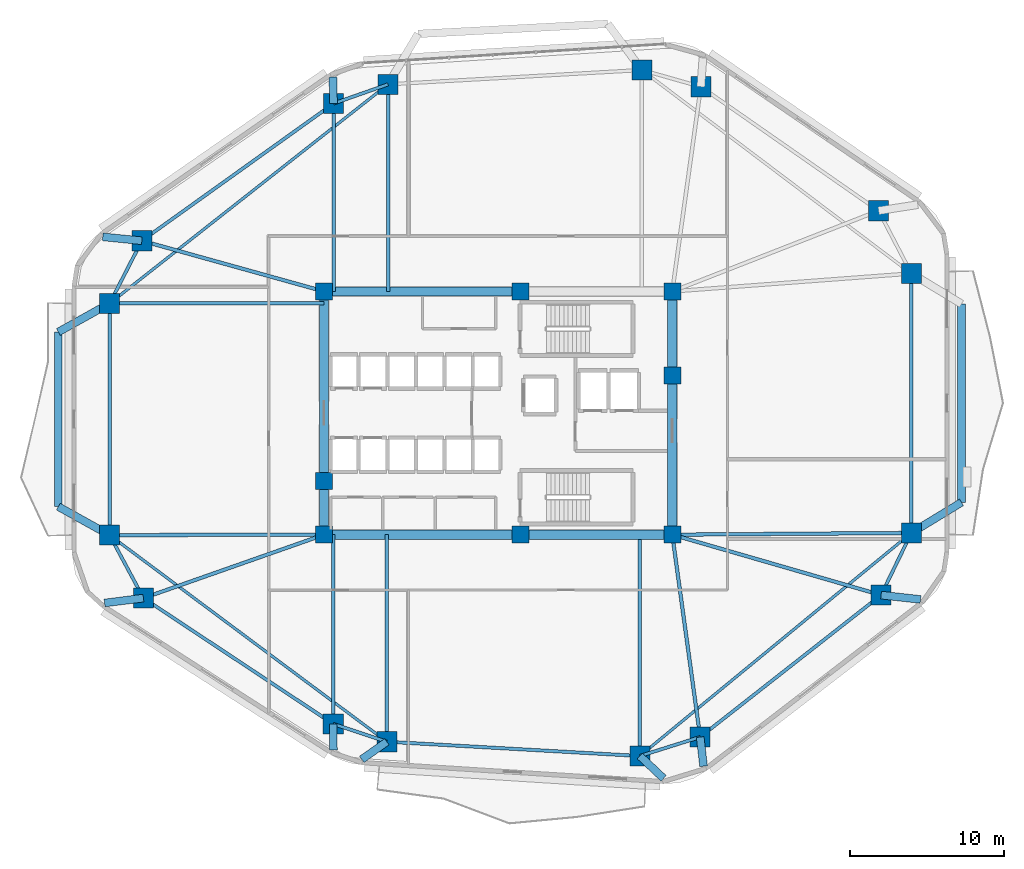
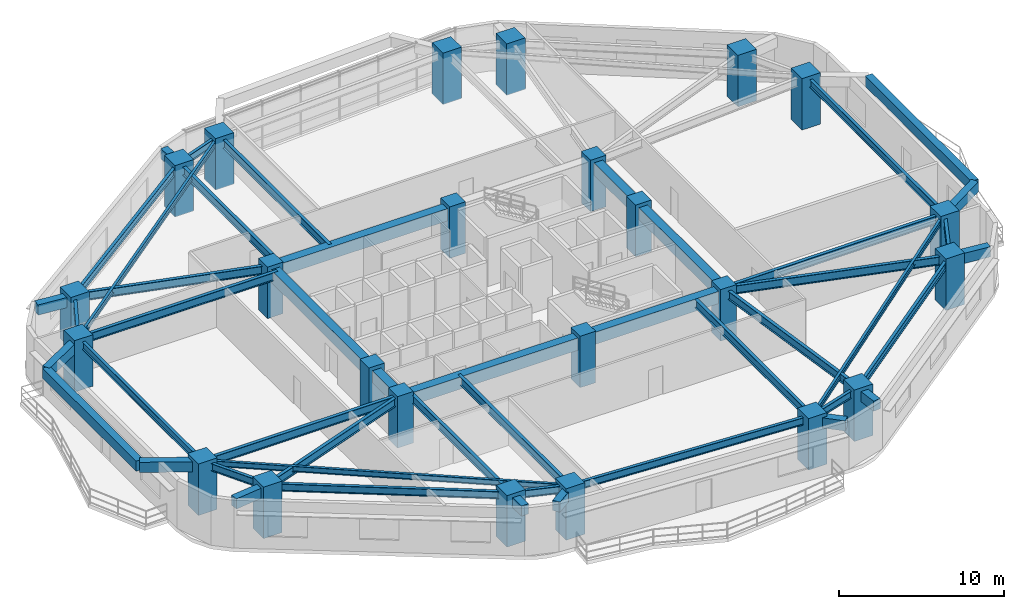
# One storey, part 1 of 11: 47 beams, 24 columns.
"""IFC4 building model written with IfcOpenShell, lengths in metres."""

from ifc_helpers import new_model, si_unit, direction, frame, origin, origin_2d, place, context, subcontext, project, spatial, rectangle, i_section, extrude, material, material_profile, profile_set, type_object, element, save


model = new_model("IFC4")

# Units and contexts
model_context = context("Model", 3, precision=1e-05, world=origin(), true_north=direction((0.0, 1.0)))
body_context = subcontext(model_context, "Body", "Model", "MODEL_VIEW")
ifc_project = project(units=[si_unit("LENGTHUNIT", "METRE"), si_unit("AREAUNIT", "SQUARE_METRE"), si_unit("VOLUMEUNIT", "CUBIC_METRE"), si_unit("PLANEANGLEUNIT", "RADIAN"), si_unit("MASSUNIT", "GRAM", prefix="KILO")], contexts=[model_context])

# Site, building, storey
site_placement = place(None, origin())
site = spatial("IfcSite", under=ifc_project, at=site_placement, CompositionType="ELEMENT")
building_placement = place(site_placement, origin())
building = spatial("IfcBuilding", under=site, at=building_placement, Name="Zulverin Broadcast Headquarters", CompositionType="ELEMENT")
storey_placement = place(building_placement, frame((0.0, 0.0, 32.60009765625)))
storey = spatial("IfcBuildingStorey", under=building, at=storey_placement, Name="L07", CompositionType="ELEMENT", Elevation=32.60009765625)

# Columns
ifc_material_1 = material(Name="Concrete C60/75", Category="concrete")
ifc_material_profile_1 = material_profile(ifc_material_1, rectangle(XDim=1.300048828125, YDim=1.300048828125, at=origin_2d()), Name="Concrete C60/75", Category="concrete")
ifc_profile_set_1 = profile_set([ifc_material_profile_1], Name="Concrete C60/75")
column_type_1 = type_object("IfcColumnType", Name="COL-RC-1300", PredefinedType="COLUMN", material=ifc_profile_set_1)
for number, where, z_axis, x_axis, name in (
    (1, (29.79638671875, 3.922119140625, 0.0), (0.0, 0.0, 1.0), (1.0, 0.0, 0.0), "L07 Perimeter Column T01"),
    (2, (46.175048828125, 2.997802734375, 0.0), (0.0, 0.0, 1.0), (1.0, 0.0, 0.0), "L07 Perimeter Column T02"),
    (3, (50.08056640625, 4.22509765625, 0.0), (0.0, 0.0, 1.0), (1.0, 0.0, 0.0), "L07 Perimeter Column T03"),
    (4, (61.79296875, 13.416259765625, 0.0), (0.0, 0.0, 1.0), (1.0, 0.0, 0.0), "L07 Perimeter Column T04"),
    (5, (63.75, 17.439697265625, 0.0), (0.0, 0.0, 1.0), (1.0, 0.0, 0.0), "L07 Perimeter Column T05"),
    (6, (63.75, 34.235107421875, 0.0), (0.0, 0.0, 1.0), (1.0, 0.0, 0.0), "L07 Perimeter Column T06"),
    (7, (61.630126953125, 38.298583984375, 0.0), (0.0, 0.0, 1.0), (1.0, 0.0, 0.0), "L07 Perimeter Column T07"),
    (8, (50.121826171875, 46.325927734375, 0.0), (0.0, 0.0, 1.0), (1.0, 0.0, 0.0), "L07 Perimeter Column T08"),
    (9, (46.30224609375, 47.4091796875, 0.0), (0.0, 0.0, 1.0), (1.0, 0.0, 0.0), "L07 Perimeter Column T09"),
    (10, (29.873779296875, 46.482177734375, 0.0), (0.0, 0.0, 1.0), (1.0, 0.0, 0.0), "L07 Perimeter Column T10"),
    (11, (26.344482421875, 45.23828125, 0.0), (0.0, 0.0, 1.0), (1.0, 0.0, 0.0), "L07 Perimeter Column T11"),
    (12, (13.934326171875, 36.353759765625, 0.0), (0.0, 0.0, 1.0), (1.0, 0.0, 0.0), "L07 Perimeter Column T12"),
    (13, (11.85009765625, 32.298095703125, 0.0), (0.0, 0.0, 1.0), (1.0, 0.0, 0.0), "L07 Perimeter Column T13"),
    (14, (11.85009765625, 17.297607421875, 0.0), (0.0, 0.0, 1.0), (1.0, 0.0, 0.0), "L07 Perimeter Column T14"),
    (15, (14.0390625, 13.219970703125, 0.0), (0.0, 0.0, 1.0), (1.0, 0.0, 0.0), "L07 Perimeter Column T15"),
    (16, (26.3251953125, 5.075927734375, 0.0), (0.0, 0.0, 1.0), (1.0, 0.0, 0.0), "L07 Perimeter Column T16"),
):
    element("IfcColumn", number, at=place(storey_placement, frame(where, z_axis=z_axis, x_axis=x_axis)), inside=storey, type_object=column_type_1, Name=name, PredefinedType="COLUMN", context=body_context, shape_type="SweptSolid", body=[
        extrude(rectangle(XDim=1.300048828125, YDim=1.300048828125, at=origin_2d()), origin(), (0.0, 0.0, 1.0), 3.7998046875),
    ])
ifc_material_profile_2 = material_profile(ifc_material_1, rectangle(XDim=1.10009765625, YDim=1.10009765625, at=origin_2d()), Name="Concrete C60/75", Category="concrete")
ifc_profile_set_2 = profile_set([ifc_material_profile_2], Name="Concrete C60/75")
column_type_2 = type_object("IfcColumnType", Name="PIL-RC-1100", PredefinedType="PILASTER", material=ifc_profile_set_2)
for number, where, z_axis, x_axis, name in (
    (17, (25.72509765625, 17.324951171875, 0.0), (0.0, 0.0, 1.0), (1.0, 0.0, 0.0), "L07 Core Pilaster K01"),
    (18, (38.449951171875, 17.324951171875, 0.0), (0.0, 0.0, 1.0), (1.0, 0.0, 0.0), "L07 Core Pilaster K02"),
    (19, (48.27490234375, 17.324951171875, 0.0), (0.0, 0.0, 1.0), (1.0, 0.0, 0.0), "L07 Core Pilaster K03"),
    (20, (48.27490234375, 27.6201171875, 0.0), (0.0, 0.0, 1.0), (1.0, 0.0, 0.0), "L07 Core Pilaster K04"),
    (21, (48.27490234375, 33.074951171875, 0.0), (0.0, 0.0, 1.0), (1.0, 0.0, 0.0), "L07 Core Pilaster K05"),
    (22, (38.449951171875, 33.074951171875, 0.0), (0.0, 0.0, 1.0), (1.0, 0.0, 0.0), "L07 Core Pilaster K06"),
    (23, (25.72509765625, 33.074951171875, 0.0), (0.0, 0.0, 1.0), (1.0, 0.0, 0.0), "L07 Core Pilaster K07"),
    (24, (25.72509765625, 20.800048828125, 0.0), (0.0, 0.0, 1.0), (1.0, 0.0, 0.0), "L07 Core Pilaster K08"),
):
    element("IfcColumn", number, at=place(storey_placement, frame(where, z_axis=z_axis, x_axis=x_axis)), inside=storey, type_object=column_type_2, Name=name, PredefinedType="PILASTER", context=body_context, shape_type="SweptSolid", body=[
        extrude(rectangle(XDim=1.10009765625, YDim=1.10009765625, at=origin_2d()), origin(), (0.0, 0.0, 1.0), 3.7998046875),
    ])

# Beams
ifc_material_profile_3 = material_profile(ifc_material_1, rectangle(XDim=0.60009765625, YDim=0.89990234375, at=origin_2d()), Name="Concrete C60/75", Category="concrete")
ifc_profile_set_3 = profile_set([ifc_material_profile_3], Name="Concrete C60/75")
beam_type_1 = type_object("IfcBeamType", Name="BM-CB-600x900", PredefinedType="LINTEL", material=ifc_profile_set_3)
beam_1_placement = place(storey_placement, frame((25.72509765625, 17.324951171875, 3.074951171875), z_axis=(1.0, 0.0, 0.0), x_axis=(0.0, 1.0, 0.0)))
element("IfcBeam", 25, at=beam_1_placement, inside=storey, type_object=beam_type_1, Name="L07 Core Coupling Girder K01-K02", PredefinedType="LINTEL", context=body_context, shape_type="SweptSolid", body=[
    extrude(rectangle(XDim=0.60009765625, YDim=0.89990234375, at=origin_2d()), origin(), (0.0, 0.0, 1.0), 12.724853515625),
])
beam_2_placement = place(storey_placement, frame((38.449951171875, 17.324951171875, 3.074951171875), z_axis=(1.0, 0.0, 0.0), x_axis=(0.0, 1.0, 0.0)))
element("IfcBeam", 26, at=beam_2_placement, inside=storey, type_object=beam_type_1, Name="L07 Core Coupling Girder K02-K03", PredefinedType="LINTEL", context=body_context, shape_type="SweptSolid", body=[
    extrude(rectangle(XDim=0.60009765625, YDim=0.89990234375, at=origin_2d()), origin(), (0.0, 0.0, 1.0), 9.824951171875),
])
beam_3_placement = place(storey_placement, frame((48.27490234375, 17.324951171875, 3.074951171875), z_axis=(0.0, 1.0, 0.0), x_axis=(-1.0, 0.0, 0.0)))
element("IfcBeam", 27, at=beam_3_placement, inside=storey, type_object=beam_type_1, Name="L07 Core Coupling Girder K03-K04", PredefinedType="LINTEL", context=body_context, shape_type="SweptSolid", body=[
    extrude(rectangle(XDim=0.60009765625, YDim=0.89990234375, at=origin_2d()), origin(), (0.0, 0.0, 1.0), 10.295166015625),
])
beam_4_placement = place(storey_placement, frame((48.27490234375, 27.6201171875, 3.074951171875), z_axis=(0.0, 1.0, 0.0), x_axis=(-1.0, 0.0, 0.0)))
element("IfcBeam", 28, at=beam_4_placement, inside=storey, type_object=beam_type_1, Name="L07 Core Coupling Girder K04-K05", PredefinedType="LINTEL", context=body_context, shape_type="SweptSolid", body=[
    extrude(rectangle(XDim=0.60009765625, YDim=0.89990234375, at=origin_2d()), origin(), (0.0, 0.0, 1.0), 5.454833984375),
])
beam_5_placement = place(storey_placement, frame((38.449951171875, 33.074951171875, 3.074951171875), z_axis=(-1.0, 0.0, 0.0), x_axis=(0.0, -1.0, 0.0)))
element("IfcBeam", 29, at=beam_5_placement, inside=storey, type_object=beam_type_1, Name="L07 Core Coupling Girder K06-K07", PredefinedType="LINTEL", context=body_context, shape_type="SweptSolid", body=[
    extrude(rectangle(XDim=0.60009765625, YDim=0.89990234375, at=origin_2d()), origin(), (0.0, 0.0, 1.0), 12.724853515625),
])
beam_6_placement = place(storey_placement, frame((25.72509765625, 33.074951171875, 3.074951171875), z_axis=(0.0, -1.0, 0.0), x_axis=(1.0, 0.0, 0.0)))
element("IfcBeam", 30, at=beam_6_placement, inside=storey, type_object=beam_type_1, Name="L07 Core Coupling Girder K07-K08", PredefinedType="LINTEL", context=body_context, shape_type="SweptSolid", body=[
    extrude(rectangle(XDim=0.60009765625, YDim=0.89990234375, at=origin_2d()), origin(), (0.0, 0.0, 1.0), 12.27490234375),
])
beam_7_placement = place(storey_placement, frame((25.72509765625, 20.800048828125, 3.074951171875), z_axis=(0.0, -1.0, 0.0), x_axis=(1.0, 0.0, 0.0)))
element("IfcBeam", 31, at=beam_7_placement, inside=storey, type_object=beam_type_1, Name="L07 Core Coupling Girder K08-K01", PredefinedType="LINTEL", context=body_context, shape_type="SweptSolid", body=[
    extrude(rectangle(XDim=0.60009765625, YDim=0.89990234375, at=origin_2d()), origin(), (0.0, 0.0, 1.0), 3.47509765625),
])
ifc_material_2 = material(Name="Concrete C40/50", Category="concrete")
ifc_material_profile_4 = material_profile(ifc_material_2, rectangle(XDim=0.5, YDim=0.75, at=origin_2d()), Name="Concrete C40/50", Category="concrete")
ifc_profile_set_4 = profile_set([ifc_material_profile_4], Name="Concrete C40/50")
beam_type_2 = type_object("IfcBeamType", Name="BM-RC-500x750", PredefinedType="BEAM", material=ifc_profile_set_4)
beam_8_placement = place(storey_placement, frame((29.79638671875, 3.922119140625, 3.14990234375), z_axis=(-0.817789251944, -0.575517801119, 0.0), x_axis=(0.575517801119, -0.817789251944, 0.0)))
element("IfcBeam", 32, at=beam_8_placement, inside=storey, type_object=beam_type_2, Name="L08 Plate Overhang Back-Spanned Beam OVR-01", PredefinedType="BEAM", context=body_context, shape_type="SweptSolid", body=[
    extrude(rectangle(XDim=0.5, YDim=0.75, at=origin_2d()), origin(), (0.0, 0.0, 1.0), 1.983154296875),
])
beam_9_placement = place(storey_placement, frame((46.175048828125, 2.997802734375, 3.14990234375), z_axis=(0.727711332613, -0.685883529754, 0.0), x_axis=(0.685883529754, 0.727711332613, 0.0)))
element("IfcBeam", 33, at=beam_9_placement, inside=storey, type_object=beam_type_2, Name="L08 Plate Overhang Back-Spanned Beam OVR-02", PredefinedType="BEAM", context=body_context, shape_type="SweptSolid", body=[
    extrude(rectangle(XDim=0.5, YDim=0.75, at=origin_2d()), origin(), (0.0, 0.0, 1.0), 2.113037109375),
])
beam_10_placement = place(storey_placement, frame((50.08056640625, 4.22509765625, 3.14990234375), z_axis=(0.115916621896, -0.99325894749, 0.0), x_axis=(0.99325894749, 0.115916621896, 0.0)))
element("IfcBeam", 34, at=beam_10_placement, inside=storey, type_object=beam_type_2, Name="L08 Plate Overhang Back-Spanned Beam OVR-03", PredefinedType="BEAM", context=body_context, shape_type="SweptSolid", body=[
    extrude(rectangle(XDim=0.5, YDim=0.75, at=origin_2d()), origin(), (0.0, 0.0, 1.0), 1.899658203125),
])
beam_11_placement = place(storey_placement, frame((61.79296875, 13.416259765625, 3.14990234375), z_axis=(0.993797661948, -0.111203449166, 0.0), x_axis=(0.111203449166, 0.993797661948, 0.0)))
element("IfcBeam", 35, at=beam_11_placement, inside=storey, type_object=beam_type_2, Name="L08 Plate Overhang Back-Spanned Beam OVR-04", PredefinedType="BEAM", context=body_context, shape_type="SweptSolid", body=[
    extrude(rectangle(XDim=0.5, YDim=0.75, at=origin_2d()), origin(), (0.0, 0.0, 1.0), 2.568603515625),
])
beam_12_placement = place(storey_placement, frame((26.344482421875, 45.23828125, 3.14990234375), z_axis=(-0.025024345209, 0.999686842039, 0.0), x_axis=(-0.999686842039, -0.025024345209, 0.0)))
element("IfcBeam", 36, at=beam_12_placement, inside=storey, type_object=beam_type_2, Name="L08 Plate Overhang Back-Spanned Beam OVR-11", PredefinedType="BEAM", context=body_context, shape_type="SweptSolid", body=[
    extrude(rectangle(XDim=0.5, YDim=0.75, at=origin_2d()), origin(), (0.0, 0.0, 1.0), 1.707275390625),
])
beam_13_placement = place(storey_placement, frame((13.934326171875, 36.353759765625, 3.14990234375), z_axis=(-0.995008621602, 0.09978899207, 0.0), x_axis=(-0.09978899207, -0.995008621602, 0.0)))
element("IfcBeam", 37, at=beam_13_placement, inside=storey, type_object=beam_type_2, Name="L08 Plate Overhang Back-Spanned Beam OVR-12", PredefinedType="BEAM", context=body_context, shape_type="SweptSolid", body=[
    extrude(rectangle(XDim=0.5, YDim=0.75, at=origin_2d()), origin(), (0.0, 0.0, 1.0), 2.5419921875),
])
beam_14_placement = place(storey_placement, frame((14.0390625, 13.219970703125, 3.14990234375), z_axis=(-0.992258640565, -0.124188526941, 0.0), x_axis=(0.124188526941, -0.992258640565, 0.0)))
element("IfcBeam", 38, at=beam_14_placement, inside=storey, type_object=beam_type_2, Name="L08 Plate Overhang Back-Spanned Beam OVR-15", PredefinedType="BEAM", context=body_context, shape_type="SweptSolid", body=[
    extrude(rectangle(XDim=0.5, YDim=0.75, at=origin_2d()), origin(), (0.0, 0.0, 1.0), 2.5400390625),
])
beam_15_placement = place(storey_placement, frame((26.3251953125, 5.075927734375, 3.14990234375), z_axis=(0.006204786761, -0.999980750125, 0.0), x_axis=(0.999980750125, 0.006204786761, 0.0)))
element("IfcBeam", 39, at=beam_15_placement, inside=storey, type_object=beam_type_2, Name="L08 Plate Overhang Back-Spanned Beam OVR-16", PredefinedType="BEAM", context=body_context, shape_type="SweptSolid", body=[
    extrude(rectangle(XDim=0.5, YDim=0.75, at=origin_2d()), origin(), (0.0, 0.0, 1.0), 1.69189453125),
])
beam_16_placement = place(storey_placement, frame((63.75, 17.439697265625, 3.14990234375), z_axis=(0.853769010652, 0.520651972483, 0.0), x_axis=(-0.520651972483, 0.853769010652, 0.0)))
element("IfcBeam", 40, at=beam_16_placement, inside=storey, type_object=beam_type_2, Name="L08 Balcony Column-Framed Cantilever BAL_E-1", PredefinedType="BEAM", context=body_context, shape_type="SweptSolid", body=[
    extrude(rectangle(XDim=0.5, YDim=0.75, at=origin_2d()), origin(), (0.0, 0.0, 1.0), 3.800048828125),
])
beam_17_placement = place(storey_placement, frame((66.994384765625, 19.418212890625, 3.14990234375), z_axis=(0.000531985561, 0.999999858496, 0.0), x_axis=(-0.999999858496, 0.000531985561, 0.0)))
element("IfcBeam", 41, at=beam_17_placement, inside=storey, type_object=beam_type_2, Name="L08 Balcony Outer Edge Trimmer Beam BAL_E", PredefinedType="BEAM", context=body_context, shape_type="SweptSolid", body=[
    extrude(rectangle(XDim=0.5, YDim=0.75, at=origin_2d()), origin(), (0.0, 0.0, 1.0), 12.849853515625),
])
beam_18_placement = place(storey_placement, frame((11.85009765625, 32.298095703125, 3.14990234375), z_axis=(-0.873763019306, -0.486351915893, 0.0), x_axis=(0.486351915893, -0.873763019306, 0.0)))
element("IfcBeam", 42, at=beam_18_placement, inside=storey, type_object=beam_type_2, Name="L08 Balcony Column-Framed Cantilever BAL_W-1", PredefinedType="BEAM", context=body_context, shape_type="SweptSolid", body=[
    extrude(rectangle(XDim=0.5, YDim=0.75, at=origin_2d()), origin(), (0.0, 0.0, 1.0), 3.800048828125),
])
beam_19_placement = place(storey_placement, frame((11.85009765625, 17.297607421875, 3.14990234375), z_axis=(-0.874363278793, 0.485271940975, 0.0), x_axis=(-0.485271940975, -0.874363278793, 0.0)))
element("IfcBeam", 43, at=beam_19_placement, inside=storey, type_object=beam_type_2, Name="L08 Balcony Column-Framed Cantilever BAL_W-2", PredefinedType="BEAM", context=body_context, shape_type="SweptSolid", body=[
    extrude(rectangle(XDim=0.5, YDim=0.75, at=origin_2d()), origin(), (0.0, 0.0, 1.0), 3.7998046875),
])
beam_20_placement = place(storey_placement, frame((8.52978515625, 30.449951171875, 3.14990234375), z_axis=(-0.000194304709, -0.999999981123, 0.0), x_axis=(0.999999981123, -0.000194304709, 0.0)))
element("IfcBeam", 44, at=beam_20_placement, inside=storey, type_object=beam_type_2, Name="L08 Balcony Outer Edge Trimmer Beam BAL_W", PredefinedType="BEAM", context=body_context, shape_type="SweptSolid", body=[
    extrude(rectangle(XDim=0.5, YDim=0.75, at=origin_2d()), origin(), (0.0, 0.0, 1.0), 11.308349609375),
])
ifc_material_3 = material(Name="Structural steel S355JR", Category="steel")
ifc_material_profile_5 = material_profile(ifc_material_3, i_section(OverallWidth=0.179443359375, OverallDepth=0.412841796875, WebThickness=0.009521484375, FlangeThickness=0.01611328125, at=origin_2d()), Name="Structural steel S355JR", Category="steel")
ifc_profile_set_5 = profile_set([ifc_material_profile_5], Name="Structural steel S355JR")
beam_type_3 = type_object("IfcBeamType", Name="BM-UB-406", PredefinedType="JOIST", material=ifc_profile_set_5)
beam_21_placement = place(storey_placement, frame((46.175048828125, 2.997802734375, 3.318603515625), z_axis=(0.772611370623, 0.634879256224, 0.0), x_axis=(-0.634879256224, 0.772611370623, 0.0)))
element("IfcBeam", 45, at=beam_21_placement, inside=storey, type_object=beam_type_3, Name="L07 Chordal Floor Joist J-01", PredefinedType="JOIST", context=body_context, shape_type="SweptSolid", body=[
    extrude(i_section(OverallWidth=0.179443359375, OverallDepth=0.412841796875, WebThickness=0.009521484375, FlangeThickness=0.01611328125, at=origin_2d()), origin(), (0.0, 0.0, 1.0), 22.74755859375),
])
beam_22_placement = place(storey_placement, frame((29.873779296875, 46.482177734375, 3.318603515625), z_axis=(-0.78583902739, -0.618431098047, 0.0), x_axis=(0.618431098047, -0.78583902739, 0.0)))
element("IfcBeam", 46, at=beam_22_placement, inside=storey, type_object=beam_type_3, Name="L07 Chordal Floor Joist J-03", PredefinedType="JOIST", context=body_context, shape_type="SweptSolid", body=[
    extrude(i_section(OverallWidth=0.179443359375, OverallDepth=0.412841796875, WebThickness=0.009521484375, FlangeThickness=0.01611328125, at=origin_2d()), origin(), (0.0, 0.0, 1.0), 22.935546875),
])
beam_23_placement = place(storey_placement, frame((11.85009765625, 17.297607421875, 3.318603515625), z_axis=(0.801802688634, -0.59758886243, 0.0), x_axis=(0.59758886243, 0.801802688634, 0.0)))
element("IfcBeam", 47, at=beam_23_placement, inside=storey, type_object=beam_type_3, Name="L07 Chordal Floor Joist J-04", PredefinedType="JOIST", context=body_context, shape_type="SweptSolid", body=[
    extrude(i_section(OverallWidth=0.179443359375, OverallDepth=0.412841796875, WebThickness=0.009521484375, FlangeThickness=0.01611328125, at=origin_2d()), origin(), (0.0, 0.0, 1.0), 22.38232421875),
])
ifc_material_profile_6 = material_profile(ifc_material_3, i_section(OverallWidth=0.2119140625, OverallDepth=0.54443359375, WebThickness=0.0126953125, FlangeThickness=0.021240234375, at=origin_2d()), Name="Structural steel S355JR", Category="steel")
ifc_profile_set_6 = profile_set([ifc_material_profile_6], Name="Structural steel S355JR")
beam_type_4 = type_object("IfcBeamType", Name="BM-UB-533", PredefinedType="SPANDREL", material=ifc_profile_set_6)
beam_24_placement = place(storey_placement, frame((29.79638671875, 3.922119140625, 3.252685546875), z_axis=(0.998411385104, -0.056344530297, 0.0), x_axis=(0.056344530297, 0.998411385104, 0.0)))
element("IfcBeam", 48, at=beam_24_placement, inside=storey, type_object=beam_type_4, Name="L07 Perimeter Spandrel Beam SP-01", PredefinedType="SPANDREL", context=body_context, shape_type="SweptSolid", body=[
    extrude(i_section(OverallWidth=0.2119140625, OverallDepth=0.54443359375, WebThickness=0.0126953125, FlangeThickness=0.021240234375, at=origin_2d()), origin(), (0.0, 0.0, 1.0), 16.40478515625),
])
beam_25_placement = place(storey_placement, frame((46.175048828125, 2.997802734375, 3.252685546875), z_axis=(0.954004438448, 0.299792480595, 0.0), x_axis=(-0.299792480595, 0.954004438448, 0.0)))
element("IfcBeam", 49, at=beam_25_placement, inside=storey, type_object=beam_type_4, Name="L07 Perimeter Spandrel Beam SP-02", PredefinedType="SPANDREL", context=body_context, shape_type="SweptSolid", body=[
    extrude(i_section(OverallWidth=0.2119140625, OverallDepth=0.54443359375, WebThickness=0.0126953125, FlangeThickness=0.021240234375, at=origin_2d()), origin(), (0.0, 0.0, 1.0), 4.09375),
])
beam_26_placement = place(storey_placement, frame((50.08056640625, 4.22509765625, 3.252685546875), z_axis=(0.786691476208, 0.617346354376, 0.0), x_axis=(-0.617346354376, 0.786691476208, 0.0)))
element("IfcBeam", 50, at=beam_26_placement, inside=storey, type_object=beam_type_4, Name="L07 Perimeter Spandrel Beam SP-03", PredefinedType="SPANDREL", context=body_context, shape_type="SweptSolid", body=[
    extrude(i_section(OverallWidth=0.2119140625, OverallDepth=0.54443359375, WebThickness=0.0126953125, FlangeThickness=0.021240234375, at=origin_2d()), origin(), (0.0, 0.0, 1.0), 14.88818359375),
])
beam_27_placement = place(storey_placement, frame((61.79296875, 13.416259765625, 3.252685546875), z_axis=(0.437408475872, 0.899262934428, 0.0), x_axis=(-0.899262934428, 0.437408475872, 0.0)))
element("IfcBeam", 51, at=beam_27_placement, inside=storey, type_object=beam_type_4, Name="L07 Perimeter Spandrel Beam SP-04", PredefinedType="SPANDREL", context=body_context, shape_type="SweptSolid", body=[
    extrude(i_section(OverallWidth=0.2119140625, OverallDepth=0.54443359375, WebThickness=0.0126953125, FlangeThickness=0.021240234375, at=origin_2d()), origin(), (0.0, 0.0, 1.0), 4.47412109375),
])
beam_28_placement = place(storey_placement, frame((63.75, 17.439697265625, 3.252685546875), z_axis=(0.0, 1.0, 0.0), x_axis=(-1.0, 0.0, 0.0)))
element("IfcBeam", 52, at=beam_28_placement, inside=storey, type_object=beam_type_4, Name="L07 Perimeter Spandrel Beam SP-05", PredefinedType="SPANDREL", context=body_context, shape_type="SweptSolid", body=[
    extrude(i_section(OverallWidth=0.2119140625, OverallDepth=0.54443359375, WebThickness=0.0126953125, FlangeThickness=0.021240234375, at=origin_2d()), origin(), (0.0, 0.0, 1.0), 16.79541015625),
])
beam_29_placement = place(storey_placement, frame((29.873779296875, 46.482177734375, 3.252685546875), z_axis=(-0.943135983398, -0.332407155189, 0.0), x_axis=(0.332407155189, -0.943135983398, 0.0)))
element("IfcBeam", 53, at=beam_29_placement, inside=storey, type_object=beam_type_4, Name="L07 Perimeter Spandrel Beam SP-10", PredefinedType="SPANDREL", context=body_context, shape_type="SweptSolid", body=[
    extrude(i_section(OverallWidth=0.2119140625, OverallDepth=0.54443359375, WebThickness=0.0126953125, FlangeThickness=0.021240234375, at=origin_2d()), origin(), (0.0, 0.0, 1.0), 3.7421875),
])
beam_30_placement = place(storey_placement, frame((26.344482421875, 45.23828125, 3.252685546875), z_axis=(-0.813109374453, -0.582110938891, 0.0), x_axis=(0.582110938891, -0.813109374453, 0.0)))
element("IfcBeam", 54, at=beam_30_placement, inside=storey, type_object=beam_type_4, Name="L07 Perimeter Spandrel Beam SP-11", PredefinedType="SPANDREL", context=body_context, shape_type="SweptSolid", body=[
    extrude(i_section(OverallWidth=0.2119140625, OverallDepth=0.54443359375, WebThickness=0.0126953125, FlangeThickness=0.021240234375, at=origin_2d()), origin(), (0.0, 0.0, 1.0), 15.2626953125),
])
beam_31_placement = place(storey_placement, frame((13.934326171875, 36.353759765625, 3.252685546875), z_axis=(-0.457080631948, -0.889425261558, 0.0), x_axis=(0.889425261558, -0.457080631948, 0.0)))
element("IfcBeam", 55, at=beam_31_placement, inside=storey, type_object=beam_type_4, Name="L07 Perimeter Spandrel Beam SP-12", PredefinedType="SPANDREL", context=body_context, shape_type="SweptSolid", body=[
    extrude(i_section(OverallWidth=0.2119140625, OverallDepth=0.54443359375, WebThickness=0.0126953125, FlangeThickness=0.021240234375, at=origin_2d()), origin(), (0.0, 0.0, 1.0), 4.559814453125),
])
beam_32_placement = place(storey_placement, frame((11.85009765625, 32.298095703125, 3.252685546875), z_axis=(0.0, -1.0, 0.0), x_axis=(1.0, 0.0, 0.0)))
element("IfcBeam", 56, at=beam_32_placement, inside=storey, type_object=beam_type_4, Name="L07 Perimeter Spandrel Beam SP-13", PredefinedType="SPANDREL", context=body_context, shape_type="SweptSolid", body=[
    extrude(i_section(OverallWidth=0.2119140625, OverallDepth=0.54443359375, WebThickness=0.0126953125, FlangeThickness=0.021240234375, at=origin_2d()), origin(), (0.0, 0.0, 1.0), 15.00048828125),
])
beam_33_placement = place(storey_placement, frame((11.85009765625, 17.297607421875, 3.252685546875), z_axis=(0.472979536362, -0.881073412482, 0.0), x_axis=(0.881073412482, 0.472979536362, 0.0)))
element("IfcBeam", 57, at=beam_33_placement, inside=storey, type_object=beam_type_4, Name="L07 Perimeter Spandrel Beam SP-14", PredefinedType="SPANDREL", context=body_context, shape_type="SweptSolid", body=[
    extrude(i_section(OverallWidth=0.2119140625, OverallDepth=0.54443359375, WebThickness=0.0126953125, FlangeThickness=0.021240234375, at=origin_2d()), origin(), (0.0, 0.0, 1.0), 4.6279296875),
])
beam_34_placement = place(storey_placement, frame((14.0390625, 13.219970703125, 3.252685546875), z_axis=(0.833510030956, -0.552504324232, 0.0), x_axis=(0.552504324232, 0.833510030956, 0.0)))
element("IfcBeam", 58, at=beam_34_placement, inside=storey, type_object=beam_type_4, Name="L07 Perimeter Spandrel Beam SP-15", PredefinedType="SPANDREL", context=body_context, shape_type="SweptSolid", body=[
    extrude(i_section(OverallWidth=0.2119140625, OverallDepth=0.54443359375, WebThickness=0.0126953125, FlangeThickness=0.021240234375, at=origin_2d()), origin(), (0.0, 0.0, 1.0), 14.740234375),
])
beam_35_placement = place(storey_placement, frame((26.3251953125, 5.075927734375, 3.252685546875), z_axis=(0.948949931395, -0.315426739047, 0.0), x_axis=(0.315426739047, 0.948949931395, 0.0)))
element("IfcBeam", 59, at=beam_35_placement, inside=storey, type_object=beam_type_4, Name="L07 Perimeter Spandrel Beam SP-16", PredefinedType="SPANDREL", context=body_context, shape_type="SweptSolid", body=[
    extrude(i_section(OverallWidth=0.2119140625, OverallDepth=0.54443359375, WebThickness=0.0126953125, FlangeThickness=0.021240234375, at=origin_2d()), origin(), (0.0, 0.0, 1.0), 3.657958984375),
])
ifc_material_profile_7 = material_profile(ifc_material_3, i_section(OverallWidth=0.230224609375, OverallDepth=0.6171875, WebThickness=0.01318359375, FlangeThickness=0.022216796875, at=origin_2d()), Name="Structural steel S355JR", Category="steel")
ifc_profile_set_7 = profile_set([ifc_material_profile_7], Name="Structural steel S355JR")
beam_type_5 = type_object("IfcBeamType", Name="BM-UB-610", PredefinedType="BEAM", material=ifc_profile_set_7)
beam_36_placement = place(storey_placement, frame((29.79638671875, 17.324951171875, 3.21630859375), z_axis=(0.0, -1.0, 0.0), x_axis=(1.0, 0.0, 0.0)))
element("IfcBeam", 60, at=beam_36_placement, inside=storey, type_object=beam_type_5, Name="L07 Radial Primary Floor Beam RB-01", PredefinedType="BEAM", context=body_context, shape_type="SweptSolid", body=[
    extrude(i_section(OverallWidth=0.230224609375, OverallDepth=0.6171875, WebThickness=0.01318359375, FlangeThickness=0.022216796875, at=origin_2d()), origin(), (0.0, 0.0, 1.0), 13.40283203125),
])
beam_37_placement = place(storey_placement, frame((46.175048828125, 17.324951171875, 3.21630859375), z_axis=(0.0, -1.0, 0.0), x_axis=(1.0, 0.0, 0.0)))
element("IfcBeam", 61, at=beam_37_placement, inside=storey, type_object=beam_type_5, Name="L07 Radial Primary Floor Beam RB-02", PredefinedType="BEAM", context=body_context, shape_type="SweptSolid", body=[
    extrude(i_section(OverallWidth=0.230224609375, OverallDepth=0.6171875, WebThickness=0.01318359375, FlangeThickness=0.022216796875, at=origin_2d()), origin(), (0.0, 0.0, 1.0), 14.3271484375),
])
beam_38_placement = place(storey_placement, frame((48.27490234375, 17.324951171875, 3.21630859375), z_axis=(0.136547433081, -0.990633533916, 0.0), x_axis=(0.990633533916, 0.136547433081, 0.0)))
element("IfcBeam", 62, at=beam_38_placement, inside=storey, type_object=beam_type_5, Name="L07 Radial Primary Floor Beam RB-03", PredefinedType="BEAM", context=body_context, shape_type="SweptSolid", body=[
    extrude(i_section(OverallWidth=0.230224609375, OverallDepth=0.6171875, WebThickness=0.01318359375, FlangeThickness=0.022216796875, at=origin_2d()), origin(), (0.0, 0.0, 1.0), 13.2236328125),
])
beam_39_placement = place(storey_placement, frame((48.27490234375, 17.324951171875, 3.21630859375), z_axis=(0.960648363311, -0.277767388416, 0.0), x_axis=(0.277767388416, 0.960648363311, 0.0)))
element("IfcBeam", 63, at=beam_39_placement, inside=storey, type_object=beam_type_5, Name="L07 Radial Primary Floor Beam RB-04", PredefinedType="BEAM", context=body_context, shape_type="SweptSolid", body=[
    extrude(i_section(OverallWidth=0.230224609375, OverallDepth=0.6171875, WebThickness=0.01318359375, FlangeThickness=0.022216796875, at=origin_2d()), origin(), (0.0, 0.0, 1.0), 14.07177734375),
])
beam_40_placement = place(storey_placement, frame((48.27490234375, 17.324951171875, 3.21630859375), z_axis=(0.999972510862, 0.007414682739, 0.0), x_axis=(-0.007414682739, 0.999972510862, 0.0)))
element("IfcBeam", 64, at=beam_40_placement, inside=storey, type_object=beam_type_5, Name="L07 Radial Primary Floor Beam RB-05", PredefinedType="BEAM", context=body_context, shape_type="SweptSolid", body=[
    extrude(i_section(OverallWidth=0.230224609375, OverallDepth=0.6171875, WebThickness=0.01318359375, FlangeThickness=0.022216796875, at=origin_2d()), origin(), (0.0, 0.0, 1.0), 15.4755859375),
])
beam_41_placement = place(storey_placement, frame((29.873779296875, 33.074951171875, 3.21630859375), z_axis=(0.0, 1.0, 0.0), x_axis=(-1.0, 0.0, 0.0)))
element("IfcBeam", 65, at=beam_41_placement, inside=storey, type_object=beam_type_5, Name="L07 Radial Primary Floor Beam RB-10", PredefinedType="BEAM", context=body_context, shape_type="SweptSolid", body=[
    extrude(i_section(OverallWidth=0.230224609375, OverallDepth=0.6171875, WebThickness=0.01318359375, FlangeThickness=0.022216796875, at=origin_2d()), origin(), (0.0, 0.0, 1.0), 13.4072265625),
])
beam_42_placement = place(storey_placement, frame((26.344482421875, 33.074951171875, 3.21630859375), z_axis=(0.0, 1.0, 0.0), x_axis=(-1.0, 0.0, 0.0)))
element("IfcBeam", 66, at=beam_42_placement, inside=storey, type_object=beam_type_5, Name="L07 Radial Primary Floor Beam RB-11", PredefinedType="BEAM", context=body_context, shape_type="SweptSolid", body=[
    extrude(i_section(OverallWidth=0.230224609375, OverallDepth=0.6171875, WebThickness=0.01318359375, FlangeThickness=0.022216796875, at=origin_2d()), origin(), (0.0, 0.0, 1.0), 12.163330078125),
])
beam_43_placement = place(storey_placement, frame((25.72509765625, 33.074951171875, 3.21630859375), z_axis=(-0.963442133037, 0.267916509922, 0.0), x_axis=(-0.267916509922, -0.963442133037, 0.0)))
element("IfcBeam", 67, at=beam_43_placement, inside=storey, type_object=beam_type_5, Name="L07 Radial Primary Floor Beam RB-12", PredefinedType="BEAM", context=body_context, shape_type="SweptSolid", body=[
    extrude(i_section(OverallWidth=0.230224609375, OverallDepth=0.6171875, WebThickness=0.01318359375, FlangeThickness=0.022216796875, at=origin_2d()), origin(), (0.0, 0.0, 1.0), 12.23828125),
])
for number, where, z_axis, x_axis, name in (
    (68, (25.72509765625, 32.298095703125, 3.21630859375), (-1.0, 0.0, 0.0), (0.0, -1.0, 0.0), "L07 Radial Primary Floor Beam RB-13"),
    (69, (25.72509765625, 17.324951171875, 3.21630859375), (-0.999998058136, -0.001970716894, 0.0), (0.001970716894, -0.999998058136, 0.0), "L07 Radial Primary Floor Beam RB-14"),
):
    element("IfcBeam", number, at=place(storey_placement, frame(where, z_axis=z_axis, x_axis=x_axis)), inside=storey, type_object=beam_type_5, Name=name, PredefinedType="BEAM", context=body_context, shape_type="SweptSolid", body=[
        extrude(i_section(OverallWidth=0.230224609375, OverallDepth=0.6171875, WebThickness=0.01318359375, FlangeThickness=0.022216796875, at=origin_2d()), origin(), (0.0, 0.0, 1.0), 13.875),
    ])
beam_44_placement = place(storey_placement, frame((25.72509765625, 17.324951171875, 3.21630859375), z_axis=(-0.943483462345, -0.331419607569, 0.0), x_axis=(0.331419607569, -0.943483462345, 0.0)))
element("IfcBeam", 70, at=beam_44_placement, inside=storey, type_object=beam_type_5, Name="L07 Radial Primary Floor Beam RB-15", PredefinedType="BEAM", context=body_context, shape_type="SweptSolid", body=[
    extrude(i_section(OverallWidth=0.230224609375, OverallDepth=0.6171875, WebThickness=0.01318359375, FlangeThickness=0.022216796875, at=origin_2d()), origin(), (0.0, 0.0, 1.0), 12.385986328125),
])
beam_45_placement = place(storey_placement, frame((26.3251953125, 17.324951171875, 3.21630859375), z_axis=(0.0, -1.0, 0.0), x_axis=(1.0, 0.0, 0.0)))
element("IfcBeam", 71, at=beam_45_placement, inside=storey, type_object=beam_type_5, Name="L07 Radial Primary Floor Beam RB-16", PredefinedType="BEAM", context=body_context, shape_type="SweptSolid", body=[
    extrude(i_section(OverallWidth=0.230224609375, OverallDepth=0.6171875, WebThickness=0.01318359375, FlangeThickness=0.022216796875, at=origin_2d()), origin(), (0.0, 0.0, 1.0), 12.2490234375),
])

save(model, "model.ifc")
